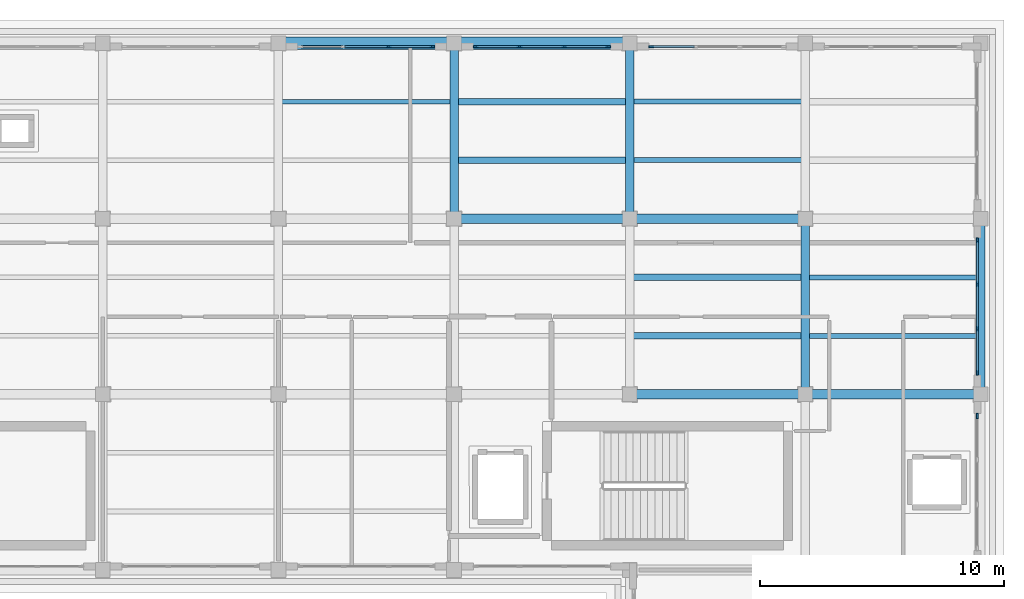
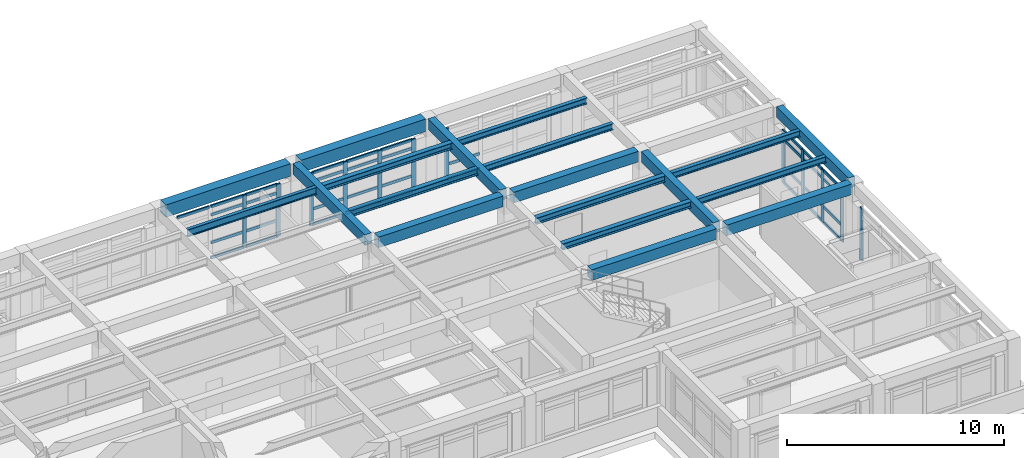
# One storey, part 9 of 19: 47 members, 19 beams, 5 elements without a shape of their own.
"""IFC4 building model written with IfcOpenShell, lengths in metres."""

from ifc_helpers import new_model, si_unit, direction, frame, origin, origin_2d, place, context, subcontext, project, spatial, rectangle, i_section, extrude, material, layer, layer_set, material_profile, profile_set, type_object, element, aggregate, save


model = new_model("IFC4")

# Units and contexts
model_context = context("Model", 3, precision=1e-05, world=origin(), true_north=direction((0.0, 1.0)))
body_context = subcontext(model_context, "Body", "Model", "MODEL_VIEW")
ifc_project = project(units=[si_unit("LENGTHUNIT", "METRE"), si_unit("AREAUNIT", "SQUARE_METRE"), si_unit("VOLUMEUNIT", "CUBIC_METRE"), si_unit("PLANEANGLEUNIT", "RADIAN"), si_unit("MASSUNIT", "GRAM", prefix="KILO")], contexts=[model_context])

# Site, building, storey
site_placement = place(None, origin())
site = spatial("IfcSite", under=ifc_project, at=site_placement, CompositionType="ELEMENT")
building_placement = place(site_placement, origin())
building = spatial("IfcBuilding", under=site, at=building_placement, Name="Solenvale Faculty of Natural Sciences", CompositionType="ELEMENT")
storey_placement = place(building_placement, frame((0.0, 0.0, 27.0)))
storey = spatial("IfcBuildingStorey", under=building, at=storey_placement, Name="L06", CompositionType="ELEMENT", Elevation=27.0)

# Beams
ifc_material_1 = material(Name="Concrete 40 MPa", Category="concrete")
ifc_material_profile_1 = material_profile(ifc_material_1, rectangle(XDim=0.35009765625, YDim=0.60009765625, at=origin_2d()), Name="RC-BM-350x600")
ifc_profile_set_1 = profile_set([ifc_material_profile_1], Name="Concrete 40 MPa")
beam_type_1 = type_object("IfcBeamType", Name="BM-RC-350x600", PredefinedType="BEAM", material=ifc_profile_set_1)
for number, where, z_axis, x_axis, name in (
    (1, (129.60009765625, 108.280029296875, 3.6201171875), (0.0, 1.0, 0.0), (-1.0, 0.0, 0.0), "L06 Y-Girder X129.6 (108.0..115.2)"),
    (2, (136.800048828125, 108.280029296875, 3.6201171875), (0.0, 1.0, 0.0), (-1.0, 0.0, 0.0), "L06 Y-Girder X136.8 (108.0..115.2)"),
    (3, (144.0, 101.080078125, 3.6201171875), (0.0, 1.0, 0.0), (-1.0, 0.0, 0.0), "L06 Y-Girder X144.0 (100.8..108.0)"),
    (4, (151.199951171875, 101.080078125, 3.6201171875), (0.0, 1.0, 0.0), (-1.0, 0.0, 0.0), "L06 Y-Girder X151.2 (100.8..108.0)"),
):
    element("IfcBeam", number, at=place(storey_placement, frame(where, z_axis=z_axis, x_axis=x_axis)), inside=storey, type_object=beam_type_1, Name=name, PredefinedType="BEAM", context=body_context, shape_type="SweptSolid", body=[
        extrude(rectangle(XDim=0.35009765625, YDim=0.60009765625, at=origin_2d()), origin(), (0.0, 0.0, 1.0), 6.639892578125),
    ])
ifc_material_profile_2 = material_profile(ifc_material_1, rectangle(XDim=0.39990234375, YDim=0.60009765625, at=origin_2d()), Name="RC-BM-400x600")
ifc_profile_set_2 = profile_set([ifc_material_profile_2], Name="Concrete 40 MPa")
beam_type_2 = type_object("IfcBeamType", Name="BM-RC-400x600", PredefinedType="BEAM", material=ifc_profile_set_2)
for number, where, z_axis, x_axis, name in (
    (5, (137.080078125, 100.800048828125, 3.6201171875), (1.0, 0.0, 0.0), (0.0, 1.0, 0.0), "L06 X-Girder Y100.8 (136.8..144.0)"),
    (6, (144.280029296875, 100.800048828125, 3.6201171875), (1.0, 0.0, 0.0), (0.0, 1.0, 0.0), "L06 X-Girder Y100.8 (144.0..151.2)"),
):
    element("IfcBeam", number, at=place(storey_placement, frame(where, z_axis=z_axis, x_axis=x_axis)), inside=storey, type_object=beam_type_2, Name=name, PredefinedType="BEAM", context=body_context, shape_type="SweptSolid", body=[
        extrude(rectangle(XDim=0.39990234375, YDim=0.60009765625, at=origin_2d()), origin(), (0.0, 0.0, 1.0), 6.639892578125),
    ])
beam_1_placement = place(storey_placement, frame((129.8798828125, 108.0, 3.6201171875), z_axis=(1.0, 0.0, 0.0), x_axis=(0.0, 1.0, 0.0)))
element("IfcBeam", 7, at=beam_1_placement, inside=storey, type_object=beam_type_2, Name="L06 X-Girder Y108.0 (129.6..136.8)", PredefinedType="BEAM", context=body_context, shape_type="SweptSolid", body=[
    extrude(rectangle(XDim=0.39990234375, YDim=0.60009765625, at=origin_2d()), origin(), (0.0, 0.0, 1.0), 6.64013671875),
])
beam_2_placement = place(storey_placement, frame((137.080078125, 108.0, 3.6201171875), z_axis=(1.0, 0.0, 0.0), x_axis=(0.0, 1.0, 0.0)))
element("IfcBeam", 8, at=beam_2_placement, inside=storey, type_object=beam_type_2, Name="L06 X-Girder Y108.0 (136.8..144.0)", PredefinedType="BEAM", context=body_context, shape_type="SweptSolid", body=[
    extrude(rectangle(XDim=0.39990234375, YDim=0.60009765625, at=origin_2d()), origin(), (0.0, 0.0, 1.0), 6.639892578125),
])
ifc_material_2 = material(Name="Precast concrete 40 MPa", Category="concrete")
ifc_material_profile_3 = material_profile(ifc_material_2, rectangle(XDim=0.5, YDim=0.699951171875, at=origin_2d()), Name="RC-BM-500x700")
ifc_profile_set_3 = profile_set([ifc_material_profile_3], Name="Precast concrete 40 MPa")
beam_type_3 = type_object("IfcBeamType", Name="BM-SPN-PRC-700", PredefinedType="SPANDREL", material=ifc_profile_set_3)
for number, where, z_axis, x_axis, name in (
    (9, (122.679931640625, 115.199951171875, 3.570068359375), (1.0, 0.0, 0.0), (0.0, 1.0, 0.0), "L06 X-Girder Y115.2 (122.4..129.6)"),
    (10, (129.8798828125, 115.199951171875, 3.570068359375), (1.0, 0.0, 0.0), (0.0, 1.0, 0.0), "L06 X-Girder Y115.2 (129.6..136.8)"),
):
    element("IfcBeam", number, at=place(storey_placement, frame(where, z_axis=z_axis, x_axis=x_axis)), inside=storey, type_object=beam_type_3, Name=name, PredefinedType="SPANDREL", context=body_context, shape_type="SweptSolid", body=[
        extrude(rectangle(XDim=0.5, YDim=0.699951171875, at=origin_2d()), origin(), (0.0, 0.0, 1.0), 6.64013671875),
    ])
ifc_material_3 = material(Name="Steel S355", Category="steel")
ifc_material_profile_4 = material_profile(ifc_material_3, i_section(OverallWidth=0.2548828125, OverallDepth=0.35693359375, WebThickness=0.010498046875, FlangeThickness=0.018310546875, FilletRadius=0.014892578125, at=origin_2d()), Name="W360x101")
ifc_profile_set_4 = profile_set([ifc_material_profile_4], Name="Steel S355")
beam_type_4 = type_object("IfcBeamType", Name="BM-STL-W360x101", PredefinedType="JOIST", material=ifc_profile_set_4)
for number, where, z_axis, x_axis, name in (
    (11, (129.7548828125, 110.39990234375, 3.741455078125), (1.0, 0.0, 0.0), (0.0, 1.0, 0.0), "L06 Composite Floor Joist (19,16).1"),
    (12, (129.7548828125, 112.800048828125, 3.741455078125), (1.0, 0.0, 0.0), (0.0, 1.0, 0.0), "L06 Composite Floor Joist (19,16).2"),
):
    element("IfcBeam", number, at=place(storey_placement, frame(where, z_axis=z_axis, x_axis=x_axis)), inside=storey, type_object=beam_type_4, Name=name, PredefinedType="JOIST", context=body_context, shape_type="SweptSolid", body=[
        extrude(i_section(OverallWidth=0.2548828125, OverallDepth=0.35693359375, WebThickness=0.010498046875, FlangeThickness=0.018310546875, FilletRadius=0.014892578125, at=origin_2d()), origin(), (0.0, 0.0, 1.0), 6.89013671875),
    ])
for number, where, z_axis, x_axis, name in (
    (13, (136.955078125, 103.199951171875, 3.741455078125), (1.0, 0.0, 0.0), (0.0, 1.0, 0.0), "L06 Composite Floor Joist (20,15).1"),
    (14, (136.955078125, 105.60009765625, 3.741455078125), (1.0, 0.0, 0.0), (0.0, 1.0, 0.0), "L06 Composite Floor Joist (20,15).2"),
):
    element("IfcBeam", number, at=place(storey_placement, frame(where, z_axis=z_axis, x_axis=x_axis)), inside=storey, type_object=beam_type_4, Name=name, PredefinedType="JOIST", context=body_context, shape_type="SweptSolid", body=[
        extrude(i_section(OverallWidth=0.2548828125, OverallDepth=0.35693359375, WebThickness=0.010498046875, FlangeThickness=0.018310546875, FilletRadius=0.014892578125, at=origin_2d()), origin(), (0.0, 0.0, 1.0), 6.889892578125),
    ])
ifc_material_profile_5 = material_profile(ifc_material_3, i_section(OverallWidth=0.2041015625, OverallDepth=0.35009765625, WebThickness=0.008544921875, FlangeThickness=0.01513671875, FilletRadius=0.014892578125, at=origin_2d()), Name="W360x72")
ifc_profile_set_5 = profile_set([ifc_material_profile_5], Name="Steel S355")
beam_type_5 = type_object("IfcBeamType", Name="BM-STL-W360x72", PredefinedType="JOIST", material=ifc_profile_set_5)
for number, where, z_axis, x_axis, name in (
    (15, (136.955078125, 110.39990234375, 3.7451171875), (1.0, 0.0, 0.0), (0.0, 1.0, 0.0), "L06 Composite Floor Joist (20,16).1"),
    (16, (136.955078125, 112.800048828125, 3.7451171875), (1.0, 0.0, 0.0), (0.0, 1.0, 0.0), "L06 Composite Floor Joist (20,16).2"),
    (17, (144.155029296875, 103.199951171875, 3.7451171875), (1.0, 0.0, 0.0), (0.0, 1.0, 0.0), "L06 Composite Floor Joist (21,15).1"),
    (18, (144.155029296875, 105.60009765625, 3.7451171875), (1.0, 0.0, 0.0), (0.0, 1.0, 0.0), "L06 Composite Floor Joist (21,15).2"),
):
    element("IfcBeam", number, at=place(storey_placement, frame(where, z_axis=z_axis, x_axis=x_axis)), inside=storey, type_object=beam_type_5, Name=name, PredefinedType="JOIST", context=body_context, shape_type="SweptSolid", body=[
        extrude(i_section(OverallWidth=0.2041015625, OverallDepth=0.35009765625, WebThickness=0.008544921875, FlangeThickness=0.01513671875, FilletRadius=0.014892578125, at=origin_2d()), origin(), (0.0, 0.0, 1.0), 6.889892578125),
    ])
ifc_material_profile_6 = material_profile(ifc_material_3, i_section(OverallWidth=0.178955078125, OverallDepth=0.409912109375, WebThickness=0.0087890625, FlangeThickness=0.014404296875, FilletRadius=0.01611328125, at=origin_2d()), Name="W410x67")
ifc_profile_set_6 = profile_set([ifc_material_profile_6], Name="Steel S355")
beam_type_6 = type_object("IfcBeamType", Name="BM-STL-W410x67", PredefinedType="JOIST", material=ifc_profile_set_6)
beam_3_placement = place(storey_placement, frame((122.554931640625, 112.800048828125, 3.715087890625), z_axis=(1.0, 0.0, 0.0), x_axis=(0.0, 1.0, 0.0)))
element("IfcBeam", 19, at=beam_3_placement, inside=storey, type_object=beam_type_6, Name="L06 Composite Floor Joist (18,16).2", PredefinedType="JOIST", context=body_context, shape_type="SweptSolid", body=[
    extrude(i_section(OverallWidth=0.178955078125, OverallDepth=0.409912109375, WebThickness=0.0087890625, FlangeThickness=0.014404296875, FilletRadius=0.01611328125, at=origin_2d()), origin(), (0.0, 0.0, 1.0), 6.89013671875),
])

# Curtain wall, member
ifc_material_4 = material(Name="Anodised bronze aluminium", Category="aluminium")
ifc_layer = layer(ifc_material_4, 0.179931640625)
ifc_layer_set = layer_set([ifc_layer], Name="Anodised bronze aluminium")
curtain_wall_type = type_object("IfcCurtainWallType", Name="CW-TWR-MOD", PredefinedType="USERDEFINED", material=ifc_layer_set)
curtain_wall_1_placement = place(storey_placement, origin())
curtain_wall_1 = element("IfcCurtainWall", 20, at=curtain_wall_1_placement, inside=storey, type_object=curtain_wall_type, Name="L06 Curtain Wall CW-L06-P1-E1-B1", ObjectType="UNITISED CURTAIN WALL", PredefinedType="USERDEFINED")
ifc_material_profile_7 = material_profile(ifc_material_4, rectangle(XDim=0.074951171875, YDim=0.2099609375, at=origin_2d()), Name="ALU-MUL-75x210")
ifc_profile_set_7 = profile_set([ifc_material_profile_7], Name="Anodised bronze aluminium")
member_type_1 = type_object("IfcMemberType", Name="CWM-ALU-75x210", PredefinedType="MULLION", material=ifc_profile_set_7)
member_1_placement = place(storey_placement, frame((151.0576171875, 99.91259765625, 0.0), z_axis=(0.0, 0.0, 1.0), x_axis=(-1.0, 0.0, 0.0)))
member_1 = element("IfcMember", 21, at=member_1_placement, type_object=member_type_1, Name="CW-04 mullion 4", PredefinedType="MULLION", context=body_context, shape_type="SweptSolid", body=[
    extrude(rectangle(XDim=0.074951171875, YDim=0.2099609375, at=origin_2d()), origin(), (0.0, 0.0, 1.0), 2.9599609375),
])
aggregate(curtain_wall_1, [member_1])

# Curtain wall, members
curtain_wall_2_placement = place(storey_placement, origin())
curtain_wall_2 = element("IfcCurtainWall", 22, at=curtain_wall_2_placement, inside=storey, type_object=curtain_wall_type, Name="L06 Curtain Wall CW-L06-P1-E1-B2", ObjectType="UNITISED CURTAIN WALL", PredefinedType="USERDEFINED")
member_2_placement = place(storey_placement, frame((151.0576171875, 101.6875, 0.0), z_axis=(0.0, 0.0, 1.0), x_axis=(-1.0, 0.0, 0.0)))
member_2 = element("IfcMember", 23, at=member_2_placement, type_object=member_type_1, Name="CW-04 mullion 1", PredefinedType="MULLION", context=body_context, shape_type="SweptSolid", body=[
    extrude(rectangle(XDim=0.074951171875, YDim=0.2099609375, at=origin_2d()), origin(), (0.0, 0.0, 1.0), 2.9599609375),
])
member_3_placement = place(storey_placement, frame((151.0576171875, 103.4833984375, 0.0), z_axis=(0.0, 0.0, 1.0), x_axis=(-1.0, 0.0, 0.0)))
member_3 = element("IfcMember", 24, at=member_3_placement, type_object=member_type_1, Name="CW-04 mullion 2", PredefinedType="MULLION", context=body_context, shape_type="SweptSolid", body=[
    extrude(rectangle(XDim=0.074951171875, YDim=0.2099609375, at=origin_2d()), origin(), (0.0, 0.0, 1.0), 2.9599609375),
])
member_4_placement = place(storey_placement, frame((151.0576171875, 105.316650390625, 0.0), z_axis=(0.0, 0.0, 1.0), x_axis=(-1.0, 0.0, 0.0)))
member_4 = element("IfcMember", 25, at=member_4_placement, type_object=member_type_1, Name="CW-04 mullion 3", PredefinedType="MULLION", context=body_context, shape_type="SweptSolid", body=[
    extrude(rectangle(XDim=0.074951171875, YDim=0.2099609375, at=origin_2d()), origin(), (0.0, 0.0, 1.0), 2.9599609375),
])
member_5_placement = place(storey_placement, frame((151.0576171875, 107.112548828125, 0.0), z_axis=(0.0, 0.0, 1.0), x_axis=(-1.0, 0.0, 0.0)))
member_5 = element("IfcMember", 26, at=member_5_placement, type_object=member_type_1, Name="CW-04 mullion 4", PredefinedType="MULLION", context=body_context, shape_type="SweptSolid", body=[
    extrude(rectangle(XDim=0.074951171875, YDim=0.2099609375, at=origin_2d()), origin(), (0.0, 0.0, 1.0), 2.9599609375),
])

# Curtain wall, member
curtain_wall_3_placement = place(storey_placement, origin())
curtain_wall_3 = element("IfcCurtainWall", 27, at=curtain_wall_3_placement, inside=storey, type_object=curtain_wall_type, Name="L06 Curtain Wall CW-L06-P1-E2-B2", ObjectType="UNITISED CURTAIN WALL", PredefinedType="USERDEFINED")
member_6_placement = place(storey_placement, frame((137.6875, 115.0576171875, 0.0), z_axis=(0.0, 0.0, 1.0), x_axis=(0.0, -1.0, 0.0)))
member_6 = element("IfcMember", 28, at=member_6_placement, type_object=member_type_1, Name="CW-04 mullion 4", PredefinedType="MULLION", context=body_context, shape_type="SweptSolid", body=[
    extrude(rectangle(XDim=0.074951171875, YDim=0.2099609375, at=origin_2d()), origin(), (0.0, 0.0, 1.0), 2.9599609375),
])

# Curtain wall, members
curtain_wall_4_placement = place(storey_placement, origin())
curtain_wall_4 = element("IfcCurtainWall", 29, at=curtain_wall_4_placement, inside=storey, type_object=curtain_wall_type, Name="L06 Curtain Wall CW-L06-P1-E2-B3", ObjectType="UNITISED CURTAIN WALL", PredefinedType="USERDEFINED")
member_7_placement = place(storey_placement, frame((135.91259765625, 115.0576171875, 0.0), z_axis=(0.0, 0.0, 1.0), x_axis=(0.0, -1.0, 0.0)))
member_7 = element("IfcMember", 30, at=member_7_placement, type_object=member_type_1, Name="CW-04 mullion 1", PredefinedType="MULLION", context=body_context, shape_type="SweptSolid", body=[
    extrude(rectangle(XDim=0.074951171875, YDim=0.2099609375, at=origin_2d()), origin(), (0.0, 0.0, 1.0), 2.9599609375),
])
member_8_placement = place(storey_placement, frame((134.11669921875, 115.0576171875, 0.0), z_axis=(0.0, 0.0, 1.0), x_axis=(0.0, -1.0, 0.0)))
member_8 = element("IfcMember", 31, at=member_8_placement, type_object=member_type_1, Name="CW-04 mullion 2", PredefinedType="MULLION", context=body_context, shape_type="SweptSolid", body=[
    extrude(rectangle(XDim=0.074951171875, YDim=0.2099609375, at=origin_2d()), origin(), (0.0, 0.0, 1.0), 2.9599609375),
])
member_9_placement = place(storey_placement, frame((132.283447265625, 115.0576171875, 0.0), z_axis=(0.0, 0.0, 1.0), x_axis=(0.0, -1.0, 0.0)))
member_9 = element("IfcMember", 32, at=member_9_placement, type_object=member_type_1, Name="CW-04 mullion 3", PredefinedType="MULLION", context=body_context, shape_type="SweptSolid", body=[
    extrude(rectangle(XDim=0.074951171875, YDim=0.2099609375, at=origin_2d()), origin(), (0.0, 0.0, 1.0), 2.9599609375),
])
member_10_placement = place(storey_placement, frame((130.487548828125, 115.0576171875, 0.0), z_axis=(0.0, 0.0, 1.0), x_axis=(0.0, -1.0, 0.0)))
member_10 = element("IfcMember", 33, at=member_10_placement, type_object=member_type_1, Name="CW-04 mullion 4", PredefinedType="MULLION", context=body_context, shape_type="SweptSolid", body=[
    extrude(rectangle(XDim=0.074951171875, YDim=0.2099609375, at=origin_2d()), origin(), (0.0, 0.0, 1.0), 2.9599609375),
])

curtain_wall_5_placement = place(storey_placement, origin())
curtain_wall_5 = element("IfcCurtainWall", 34, at=curtain_wall_5_placement, inside=storey, type_object=curtain_wall_type, Name="L06 Curtain Wall CW-L06-P1-E2-B4", ObjectType="UNITISED CURTAIN WALL", PredefinedType="USERDEFINED")
member_11_placement = place(storey_placement, frame((128.71240234375, 115.0576171875, 0.0), z_axis=(0.0, 0.0, 1.0), x_axis=(0.0, -1.0, 0.0)))
member_11 = element("IfcMember", 35, at=member_11_placement, type_object=member_type_1, Name="CW-04 mullion 1", PredefinedType="MULLION", context=body_context, shape_type="SweptSolid", body=[
    extrude(rectangle(XDim=0.074951171875, YDim=0.2099609375, at=origin_2d()), origin(), (0.0, 0.0, 1.0), 2.9599609375),
])
member_12_placement = place(storey_placement, frame((126.916748046875, 115.0576171875, 0.0), z_axis=(0.0, 0.0, 1.0), x_axis=(0.0, -1.0, 0.0)))
member_12 = element("IfcMember", 36, at=member_12_placement, type_object=member_type_1, Name="CW-04 mullion 2", PredefinedType="MULLION", context=body_context, shape_type="SweptSolid", body=[
    extrude(rectangle(XDim=0.074951171875, YDim=0.2099609375, at=origin_2d()), origin(), (0.0, 0.0, 1.0), 2.9599609375),
])

# Member
ifc_material_profile_8 = material_profile(ifc_material_4, rectangle(XDim=0.074951171875, YDim=0.155029296875, at=origin_2d()), Name="ALU-TRN-75x155")
ifc_profile_set_8 = profile_set([ifc_material_profile_8], Name="Anodised bronze aluminium")
member_type_2 = type_object("IfcMemberType", Name="CWT-ALU-75x155", PredefinedType="USERDEFINED", material=ifc_profile_set_8)
member_13_placement = place(storey_placement, frame((151.0576171875, 101.72509765625, 0.03759765625), z_axis=(0.0, 1.0, 0.0), x_axis=(-1.0, 0.0, 0.0)))
member_13 = element("IfcMember", 37, at=member_13_placement, type_object=member_type_2, Name="CW-04 transom 1.1", ObjectType="TRANSOM", PredefinedType="USERDEFINED", context=body_context, shape_type="SweptSolid", body=[
    extrude(rectangle(XDim=0.074951171875, YDim=0.155029296875, at=origin_2d()), origin(), (0.0, 0.0, 1.0), 1.720703125),
])

member_14_placement = place(storey_placement, frame((151.0576171875, 101.72509765625, 0.89990234375), z_axis=(0.0, 1.0, 0.0), x_axis=(-1.0, 0.0, 0.0)))
member_14 = element("IfcMember", 38, at=member_14_placement, type_object=member_type_2, Name="CW-04 transom 1.2", ObjectType="TRANSOM", PredefinedType="USERDEFINED", context=body_context, shape_type="SweptSolid", body=[
    extrude(rectangle(XDim=0.074951171875, YDim=0.155029296875, at=origin_2d()), origin(), (0.0, 0.0, 1.0), 1.720703125),
])

member_15_placement = place(storey_placement, frame((151.0576171875, 101.72509765625, 2.4599609375), z_axis=(0.0, 1.0, 0.0), x_axis=(-1.0, 0.0, 0.0)))
member_15 = element("IfcMember", 39, at=member_15_placement, type_object=member_type_2, Name="CW-04 transom 1.3", ObjectType="TRANSOM", PredefinedType="USERDEFINED", context=body_context, shape_type="SweptSolid", body=[
    extrude(rectangle(XDim=0.074951171875, YDim=0.155029296875, at=origin_2d()), origin(), (0.0, 0.0, 1.0), 1.720703125),
])

member_16_placement = place(storey_placement, frame((151.0576171875, 101.72509765625, 2.922607421875), z_axis=(0.0, 1.0, 0.0), x_axis=(-1.0, 0.0, 0.0)))
member_16 = element("IfcMember", 40, at=member_16_placement, type_object=member_type_2, Name="CW-04 transom 1.4", ObjectType="TRANSOM", PredefinedType="USERDEFINED", context=body_context, shape_type="SweptSolid", body=[
    extrude(rectangle(XDim=0.074951171875, YDim=0.155029296875, at=origin_2d()), origin(), (0.0, 0.0, 1.0), 1.720703125),
])

member_17_placement = place(storey_placement, frame((151.0576171875, 103.520751953125, 0.03759765625), z_axis=(0.0, 1.0, 0.0), x_axis=(-1.0, 0.0, 0.0)))
member_17 = element("IfcMember", 41, at=member_17_placement, type_object=member_type_2, Name="CW-04 transom 2.1", ObjectType="TRANSOM", PredefinedType="USERDEFINED", context=body_context, shape_type="SweptSolid", body=[
    extrude(rectangle(XDim=0.074951171875, YDim=0.155029296875, at=origin_2d()), origin(), (0.0, 0.0, 1.0), 1.75830078125),
])

member_18_placement = place(storey_placement, frame((151.0576171875, 103.520751953125, 0.89990234375), z_axis=(0.0, 1.0, 0.0), x_axis=(-1.0, 0.0, 0.0)))
member_18 = element("IfcMember", 42, at=member_18_placement, type_object=member_type_2, Name="CW-04 transom 2.2", ObjectType="TRANSOM", PredefinedType="USERDEFINED", context=body_context, shape_type="SweptSolid", body=[
    extrude(rectangle(XDim=0.074951171875, YDim=0.155029296875, at=origin_2d()), origin(), (0.0, 0.0, 1.0), 1.75830078125),
])

member_19_placement = place(storey_placement, frame((151.0576171875, 103.520751953125, 2.4599609375), z_axis=(0.0, 1.0, 0.0), x_axis=(-1.0, 0.0, 0.0)))
member_19 = element("IfcMember", 43, at=member_19_placement, type_object=member_type_2, Name="CW-04 transom 2.3", ObjectType="TRANSOM", PredefinedType="USERDEFINED", context=body_context, shape_type="SweptSolid", body=[
    extrude(rectangle(XDim=0.074951171875, YDim=0.155029296875, at=origin_2d()), origin(), (0.0, 0.0, 1.0), 1.75830078125),
])

member_20_placement = place(storey_placement, frame((151.0576171875, 103.520751953125, 2.922607421875), z_axis=(0.0, 1.0, 0.0), x_axis=(-1.0, 0.0, 0.0)))
member_20 = element("IfcMember", 44, at=member_20_placement, type_object=member_type_2, Name="CW-04 transom 2.4", ObjectType="TRANSOM", PredefinedType="USERDEFINED", context=body_context, shape_type="SweptSolid", body=[
    extrude(rectangle(XDim=0.074951171875, YDim=0.155029296875, at=origin_2d()), origin(), (0.0, 0.0, 1.0), 1.75830078125),
])

member_21_placement = place(storey_placement, frame((151.0576171875, 105.354248046875, 0.03759765625), z_axis=(0.0, 1.0, 0.0), x_axis=(-1.0, 0.0, 0.0)))
member_21 = element("IfcMember", 45, at=member_21_placement, type_object=member_type_2, Name="CW-04 transom 3.1", ObjectType="TRANSOM", PredefinedType="USERDEFINED", context=body_context, shape_type="SweptSolid", body=[
    extrude(rectangle(XDim=0.074951171875, YDim=0.155029296875, at=origin_2d()), origin(), (0.0, 0.0, 1.0), 1.720703125),
])

member_22_placement = place(storey_placement, frame((151.0576171875, 105.354248046875, 0.89990234375), z_axis=(0.0, 1.0, 0.0), x_axis=(-1.0, 0.0, 0.0)))
member_22 = element("IfcMember", 46, at=member_22_placement, type_object=member_type_2, Name="CW-04 transom 3.2", ObjectType="TRANSOM", PredefinedType="USERDEFINED", context=body_context, shape_type="SweptSolid", body=[
    extrude(rectangle(XDim=0.074951171875, YDim=0.155029296875, at=origin_2d()), origin(), (0.0, 0.0, 1.0), 1.720703125),
])

member_23_placement = place(storey_placement, frame((151.0576171875, 105.354248046875, 2.4599609375), z_axis=(0.0, 1.0, 0.0), x_axis=(-1.0, 0.0, 0.0)))
member_23 = element("IfcMember", 47, at=member_23_placement, type_object=member_type_2, Name="CW-04 transom 3.3", ObjectType="TRANSOM", PredefinedType="USERDEFINED", context=body_context, shape_type="SweptSolid", body=[
    extrude(rectangle(XDim=0.074951171875, YDim=0.155029296875, at=origin_2d()), origin(), (0.0, 0.0, 1.0), 1.720703125),
])

member_24_placement = place(storey_placement, frame((151.0576171875, 105.354248046875, 2.922607421875), z_axis=(0.0, 1.0, 0.0), x_axis=(-1.0, 0.0, 0.0)))
member_24 = element("IfcMember", 48, at=member_24_placement, type_object=member_type_2, Name="CW-04 transom 3.4", ObjectType="TRANSOM", PredefinedType="USERDEFINED", context=body_context, shape_type="SweptSolid", body=[
    extrude(rectangle(XDim=0.074951171875, YDim=0.155029296875, at=origin_2d()), origin(), (0.0, 0.0, 1.0), 1.720703125),
])

aggregate(curtain_wall_2, [member_2, member_3, member_4, member_5, member_13, member_14, member_15, member_16, member_17, member_18, member_19, member_20, member_21, member_22, member_23, member_24])

member_25_placement = place(storey_placement, frame((139.44580078125, 115.0576171875, 0.03759765625), z_axis=(-1.0, 0.0, 0.0), x_axis=(0.0, -1.0, 0.0)))
member_25 = element("IfcMember", 49, at=member_25_placement, type_object=member_type_2, Name="CW-04 transom 3.1", ObjectType="TRANSOM", PredefinedType="USERDEFINED", context=body_context, shape_type="SweptSolid", body=[
    extrude(rectangle(XDim=0.074951171875, YDim=0.155029296875, at=origin_2d()), origin(), (0.0, 0.0, 1.0), 1.720703125),
])

member_26_placement = place(storey_placement, frame((139.44580078125, 115.0576171875, 0.89990234375), z_axis=(-1.0, 0.0, 0.0), x_axis=(0.0, -1.0, 0.0)))
member_26 = element("IfcMember", 50, at=member_26_placement, type_object=member_type_2, Name="CW-04 transom 3.2", ObjectType="TRANSOM", PredefinedType="USERDEFINED", context=body_context, shape_type="SweptSolid", body=[
    extrude(rectangle(XDim=0.074951171875, YDim=0.155029296875, at=origin_2d()), origin(), (0.0, 0.0, 1.0), 1.720703125),
])

aggregate(curtain_wall_3, [member_6, member_25, member_26])

member_27_placement = place(storey_placement, frame((135.875, 115.0576171875, 0.03759765625), z_axis=(-1.0, 0.0, 0.0), x_axis=(0.0, -1.0, 0.0)))
member_27 = element("IfcMember", 51, at=member_27_placement, type_object=member_type_2, Name="CW-04 transom 1.1", ObjectType="TRANSOM", PredefinedType="USERDEFINED", context=body_context, shape_type="SweptSolid", body=[
    extrude(rectangle(XDim=0.074951171875, YDim=0.155029296875, at=origin_2d()), origin(), (0.0, 0.0, 1.0), 1.720947265625),
])

member_28_placement = place(storey_placement, frame((135.875, 115.0576171875, 0.89990234375), z_axis=(-1.0, 0.0, 0.0), x_axis=(0.0, -1.0, 0.0)))
member_28 = element("IfcMember", 52, at=member_28_placement, type_object=member_type_2, Name="CW-04 transom 1.2", ObjectType="TRANSOM", PredefinedType="USERDEFINED", context=body_context, shape_type="SweptSolid", body=[
    extrude(rectangle(XDim=0.074951171875, YDim=0.155029296875, at=origin_2d()), origin(), (0.0, 0.0, 1.0), 1.720947265625),
])

member_29_placement = place(storey_placement, frame((135.875, 115.0576171875, 2.4599609375), z_axis=(-1.0, 0.0, 0.0), x_axis=(0.0, -1.0, 0.0)))
member_29 = element("IfcMember", 53, at=member_29_placement, type_object=member_type_2, Name="CW-04 transom 1.3", ObjectType="TRANSOM", PredefinedType="USERDEFINED", context=body_context, shape_type="SweptSolid", body=[
    extrude(rectangle(XDim=0.074951171875, YDim=0.155029296875, at=origin_2d()), origin(), (0.0, 0.0, 1.0), 1.720947265625),
])

member_30_placement = place(storey_placement, frame((135.875, 115.0576171875, 2.922607421875), z_axis=(-1.0, 0.0, 0.0), x_axis=(0.0, -1.0, 0.0)))
member_30 = element("IfcMember", 54, at=member_30_placement, type_object=member_type_2, Name="CW-04 transom 1.4", ObjectType="TRANSOM", PredefinedType="USERDEFINED", context=body_context, shape_type="SweptSolid", body=[
    extrude(rectangle(XDim=0.074951171875, YDim=0.155029296875, at=origin_2d()), origin(), (0.0, 0.0, 1.0), 1.720947265625),
])

member_31_placement = place(storey_placement, frame((134.0791015625, 115.0576171875, 0.03759765625), z_axis=(-1.0, 0.0, 0.0), x_axis=(0.0, -1.0, 0.0)))
member_31 = element("IfcMember", 55, at=member_31_placement, type_object=member_type_2, Name="CW-04 transom 2.1", ObjectType="TRANSOM", PredefinedType="USERDEFINED", context=body_context, shape_type="SweptSolid", body=[
    extrude(rectangle(XDim=0.074951171875, YDim=0.155029296875, at=origin_2d()), origin(), (0.0, 0.0, 1.0), 1.75830078125),
])

member_32_placement = place(storey_placement, frame((134.0791015625, 115.0576171875, 0.89990234375), z_axis=(-1.0, 0.0, 0.0), x_axis=(0.0, -1.0, 0.0)))
member_32 = element("IfcMember", 56, at=member_32_placement, type_object=member_type_2, Name="CW-04 transom 2.2", ObjectType="TRANSOM", PredefinedType="USERDEFINED", context=body_context, shape_type="SweptSolid", body=[
    extrude(rectangle(XDim=0.074951171875, YDim=0.155029296875, at=origin_2d()), origin(), (0.0, 0.0, 1.0), 1.75830078125),
])

member_33_placement = place(storey_placement, frame((134.0791015625, 115.0576171875, 2.4599609375), z_axis=(-1.0, 0.0, 0.0), x_axis=(0.0, -1.0, 0.0)))
member_33 = element("IfcMember", 57, at=member_33_placement, type_object=member_type_2, Name="CW-04 transom 2.3", ObjectType="TRANSOM", PredefinedType="USERDEFINED", context=body_context, shape_type="SweptSolid", body=[
    extrude(rectangle(XDim=0.074951171875, YDim=0.155029296875, at=origin_2d()), origin(), (0.0, 0.0, 1.0), 1.75830078125),
])

member_34_placement = place(storey_placement, frame((134.0791015625, 115.0576171875, 2.922607421875), z_axis=(-1.0, 0.0, 0.0), x_axis=(0.0, -1.0, 0.0)))
member_34 = element("IfcMember", 58, at=member_34_placement, type_object=member_type_2, Name="CW-04 transom 2.4", ObjectType="TRANSOM", PredefinedType="USERDEFINED", context=body_context, shape_type="SweptSolid", body=[
    extrude(rectangle(XDim=0.074951171875, YDim=0.155029296875, at=origin_2d()), origin(), (0.0, 0.0, 1.0), 1.75830078125),
])

member_35_placement = place(storey_placement, frame((132.245849609375, 115.0576171875, 0.03759765625), z_axis=(-1.0, 0.0, 0.0), x_axis=(0.0, -1.0, 0.0)))
member_35 = element("IfcMember", 59, at=member_35_placement, type_object=member_type_2, Name="CW-04 transom 3.1", ObjectType="TRANSOM", PredefinedType="USERDEFINED", context=body_context, shape_type="SweptSolid", body=[
    extrude(rectangle(XDim=0.074951171875, YDim=0.155029296875, at=origin_2d()), origin(), (0.0, 0.0, 1.0), 1.720947265625),
])

member_36_placement = place(storey_placement, frame((132.245849609375, 115.0576171875, 0.89990234375), z_axis=(-1.0, 0.0, 0.0), x_axis=(0.0, -1.0, 0.0)))
member_36 = element("IfcMember", 60, at=member_36_placement, type_object=member_type_2, Name="CW-04 transom 3.2", ObjectType="TRANSOM", PredefinedType="USERDEFINED", context=body_context, shape_type="SweptSolid", body=[
    extrude(rectangle(XDim=0.074951171875, YDim=0.155029296875, at=origin_2d()), origin(), (0.0, 0.0, 1.0), 1.720947265625),
])

member_37_placement = place(storey_placement, frame((132.245849609375, 115.0576171875, 2.4599609375), z_axis=(-1.0, 0.0, 0.0), x_axis=(0.0, -1.0, 0.0)))
member_37 = element("IfcMember", 61, at=member_37_placement, type_object=member_type_2, Name="CW-04 transom 3.3", ObjectType="TRANSOM", PredefinedType="USERDEFINED", context=body_context, shape_type="SweptSolid", body=[
    extrude(rectangle(XDim=0.074951171875, YDim=0.155029296875, at=origin_2d()), origin(), (0.0, 0.0, 1.0), 1.720947265625),
])

member_38_placement = place(storey_placement, frame((132.245849609375, 115.0576171875, 2.922607421875), z_axis=(-1.0, 0.0, 0.0), x_axis=(0.0, -1.0, 0.0)))
member_38 = element("IfcMember", 62, at=member_38_placement, type_object=member_type_2, Name="CW-04 transom 3.4", ObjectType="TRANSOM", PredefinedType="USERDEFINED", context=body_context, shape_type="SweptSolid", body=[
    extrude(rectangle(XDim=0.074951171875, YDim=0.155029296875, at=origin_2d()), origin(), (0.0, 0.0, 1.0), 1.720947265625),
])

aggregate(curtain_wall_4, [member_7, member_8, member_9, member_10, member_27, member_28, member_29, member_30, member_31, member_32, member_33, member_34, member_35, member_36, member_37, member_38])

member_39_placement = place(storey_placement, frame((128.675048828125, 115.0576171875, 0.03759765625), z_axis=(-1.0, 0.0, 0.0), x_axis=(0.0, -1.0, 0.0)))
member_39 = element("IfcMember", 63, at=member_39_placement, type_object=member_type_2, Name="CW-04 transom 1.1", ObjectType="TRANSOM", PredefinedType="USERDEFINED", context=body_context, shape_type="SweptSolid", body=[
    extrude(rectangle(XDim=0.074951171875, YDim=0.155029296875, at=origin_2d()), origin(), (0.0, 0.0, 1.0), 1.720947265625),
])

member_40_placement = place(storey_placement, frame((128.675048828125, 115.0576171875, 0.89990234375), z_axis=(-1.0, 0.0, 0.0), x_axis=(0.0, -1.0, 0.0)))
member_40 = element("IfcMember", 64, at=member_40_placement, type_object=member_type_2, Name="CW-04 transom 1.2", ObjectType="TRANSOM", PredefinedType="USERDEFINED", context=body_context, shape_type="SweptSolid", body=[
    extrude(rectangle(XDim=0.074951171875, YDim=0.155029296875, at=origin_2d()), origin(), (0.0, 0.0, 1.0), 1.720947265625),
])

member_41_placement = place(storey_placement, frame((128.675048828125, 115.0576171875, 2.4599609375), z_axis=(-1.0, 0.0, 0.0), x_axis=(0.0, -1.0, 0.0)))
member_41 = element("IfcMember", 65, at=member_41_placement, type_object=member_type_2, Name="CW-04 transom 1.3", ObjectType="TRANSOM", PredefinedType="USERDEFINED", context=body_context, shape_type="SweptSolid", body=[
    extrude(rectangle(XDim=0.074951171875, YDim=0.155029296875, at=origin_2d()), origin(), (0.0, 0.0, 1.0), 1.720947265625),
])

member_42_placement = place(storey_placement, frame((128.675048828125, 115.0576171875, 2.922607421875), z_axis=(-1.0, 0.0, 0.0), x_axis=(0.0, -1.0, 0.0)))
member_42 = element("IfcMember", 66, at=member_42_placement, type_object=member_type_2, Name="CW-04 transom 1.4", ObjectType="TRANSOM", PredefinedType="USERDEFINED", context=body_context, shape_type="SweptSolid", body=[
    extrude(rectangle(XDim=0.074951171875, YDim=0.155029296875, at=origin_2d()), origin(), (0.0, 0.0, 1.0), 1.720947265625),
])

member_43_placement = place(storey_placement, frame((126.879150390625, 115.0576171875, 0.03759765625), z_axis=(-1.0, 0.0, 0.0), x_axis=(0.0, -1.0, 0.0)))
member_43 = element("IfcMember", 67, at=member_43_placement, type_object=member_type_2, Name="CW-04 transom 2.1", ObjectType="TRANSOM", PredefinedType="USERDEFINED", context=body_context, shape_type="SweptSolid", body=[
    extrude(rectangle(XDim=0.074951171875, YDim=0.155029296875, at=origin_2d()), origin(), (0.0, 0.0, 1.0), 1.75830078125),
])

member_44_placement = place(storey_placement, frame((126.879150390625, 115.0576171875, 0.89990234375), z_axis=(-1.0, 0.0, 0.0), x_axis=(0.0, -1.0, 0.0)))
member_44 = element("IfcMember", 68, at=member_44_placement, type_object=member_type_2, Name="CW-04 transom 2.2", ObjectType="TRANSOM", PredefinedType="USERDEFINED", context=body_context, shape_type="SweptSolid", body=[
    extrude(rectangle(XDim=0.074951171875, YDim=0.155029296875, at=origin_2d()), origin(), (0.0, 0.0, 1.0), 1.75830078125),
])

member_45_placement = place(storey_placement, frame((126.879150390625, 115.0576171875, 2.4599609375), z_axis=(-1.0, 0.0, 0.0), x_axis=(0.0, -1.0, 0.0)))
member_45 = element("IfcMember", 69, at=member_45_placement, type_object=member_type_2, Name="CW-04 transom 2.3", ObjectType="TRANSOM", PredefinedType="USERDEFINED", context=body_context, shape_type="SweptSolid", body=[
    extrude(rectangle(XDim=0.074951171875, YDim=0.155029296875, at=origin_2d()), origin(), (0.0, 0.0, 1.0), 1.75830078125),
])

member_46_placement = place(storey_placement, frame((126.879150390625, 115.0576171875, 2.922607421875), z_axis=(-1.0, 0.0, 0.0), x_axis=(0.0, -1.0, 0.0)))
member_46 = element("IfcMember", 70, at=member_46_placement, type_object=member_type_2, Name="CW-04 transom 2.4", ObjectType="TRANSOM", PredefinedType="USERDEFINED", context=body_context, shape_type="SweptSolid", body=[
    extrude(rectangle(XDim=0.074951171875, YDim=0.155029296875, at=origin_2d()), origin(), (0.0, 0.0, 1.0), 1.75830078125),
])

member_47_placement = place(storey_placement, frame((125.0458984375, 115.0576171875, 2.922607421875), z_axis=(-1.0, 0.0, 0.0), x_axis=(0.0, -1.0, 0.0)))
member_47 = element("IfcMember", 71, at=member_47_placement, type_object=member_type_2, Name="CW-04 transom 3.4", ObjectType="TRANSOM", PredefinedType="USERDEFINED", context=body_context, shape_type="SweptSolid", body=[
    extrude(rectangle(XDim=0.074951171875, YDim=0.155029296875, at=origin_2d()), origin(), (0.0, 0.0, 1.0), 1.720947265625),
])

aggregate(curtain_wall_5, [member_11, member_12, member_39, member_40, member_41, member_42, member_43, member_44, member_45, member_46, member_47])

save(model, "model.ifc")
